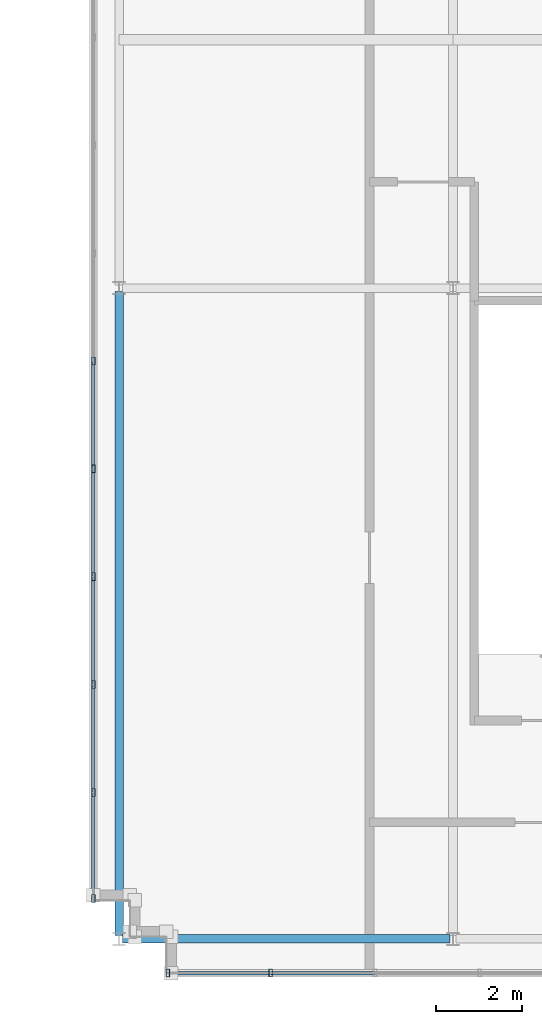
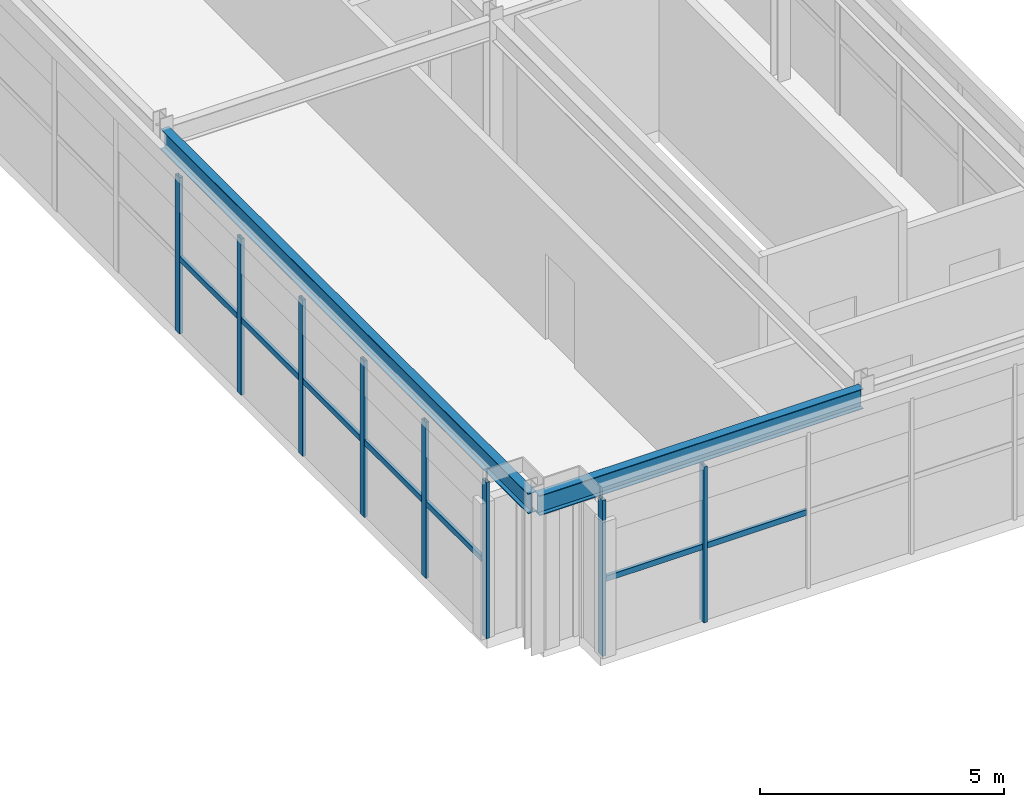
# One storey, part 12 of 25: 15 members, 2 beams, 2 elements without a shape of their own.
"""IFC4 building model written with IfcOpenShell, lengths in metres."""

from ifc_helpers import new_model, si_unit, direction, frame, origin, origin_2d, place, context, subcontext, project, spatial, hollow_rectangle, i_section, extrude, source, transform, mapped, material, material_profile, profile_set, type_object, element, aggregate, save


model = new_model("IFC4")

# Units and contexts
model_context = context("Model", 3, precision=1e-05, world=origin(), true_north=direction((0.0, 1.0)))
body_context = subcontext(model_context, "Body", "Model", "MODEL_VIEW")
ifc_project = project(units=[si_unit("LENGTHUNIT", "METRE"), si_unit("AREAUNIT", "SQUARE_METRE"), si_unit("VOLUMEUNIT", "CUBIC_METRE"), si_unit("PLANEANGLEUNIT", "RADIAN"), si_unit("MASSUNIT", "GRAM", prefix="KILO")], contexts=[model_context])

# Site, building, storey
site_placement = place(None, origin())
site = spatial("IfcSite", under=ifc_project, at=site_placement, CompositionType="ELEMENT")
building_placement = place(site_placement, origin())
building = spatial("IfcBuilding", under=site, at=building_placement, Name="Trelvane Seafront Commons", CompositionType="ELEMENT")
storey_placement = place(building_placement, frame((0.0, 0.0, 320.89990234375)))
storey = spatial("IfcBuildingStorey", under=building, at=storey_placement, Name="L83", CompositionType="ELEMENT", Elevation=320.89990234375)

# Beams
ifc_material_1 = material(Name="Steel SM355 (S355)", Category="steel")
ifc_material_profile_1 = material_profile(ifc_material_1, i_section(OverallWidth=0.199951171875, OverallDepth=0.5, WebThickness=0.010009765625, FlangeThickness=0.01611328125, at=origin_2d()), Name="H-500x200x10x16")
ifc_profile_set_1 = profile_set([ifc_material_profile_1], Name="Steel SM355 (S355)")
beam_type_1 = type_object("IfcBeamType", Name="STR-CROWN-FRAME-RING", PredefinedType="SPANDREL", material=ifc_profile_set_1)
shared_shape_1 = source(origin(), body_context, "Body", "SweptSolid", [
    extrude(i_section(OverallWidth=0.199951171875, OverallDepth=0.5, WebThickness=0.010009765625, FlangeThickness=0.01611328125, at=origin_2d()), origin(), (0.0, 0.0, 1.0), 7.650146484375),
])
beam_1_placement = place(storey_placement, frame((51.074951171875, 18.199951171875, 3.650146484375), z_axis=(1.0, 0.0, 0.0), x_axis=(0.0, 1.0, 0.0)))
element("IfcBeam", 1, at=beam_1_placement, inside=storey, type_object=beam_type_1, Name="L83 CROWN FRAME Ring Beam G-03", PredefinedType="SPANDREL", context=body_context, shape_type="MappedRepresentation", body=[
    mapped(shared_shape_1, transform((0.0, 0.0, 0.0), x_axis=(1.0, 0.0, 0.0), y_axis=(0.0, 1.0, 0.0), z_axis=(0.0, 0.0, 1.0), scale=1.0)),
])
ifc_material_profile_2 = material_profile(ifc_material_1, i_section(OverallWidth=0.199951171875, OverallDepth=0.5, WebThickness=0.010009765625, FlangeThickness=0.01611328125, at=origin_2d()), Name="H-500x200x10x16")
ifc_profile_set_2 = profile_set([ifc_material_profile_2], Name="Steel SM355 (S355)")
beam_type_2 = type_object("IfcBeamType", Name="STR-BM-H500", PredefinedType="BEAM", material=ifc_profile_set_2)
shared_shape_2 = source(origin(), body_context, "Body", "SweptSolid", [
    extrude(i_section(OverallWidth=0.199951171875, OverallDepth=0.5, WebThickness=0.010009765625, FlangeThickness=0.01611328125, at=origin_2d()), origin(), (0.0, 0.0, 1.0), 15.050048828125),
])
beam_2_placement = place(storey_placement, frame((51.0, 18.27490234375, 3.650146484375), z_axis=(0.0, 1.0, 0.0), x_axis=(-1.0, 0.0, 0.0)))
element("IfcBeam", 2, at=beam_2_placement, inside=storey, type_object=beam_type_2, Name="L83 Primary Girder G-19", PredefinedType="BEAM", context=body_context, shape_type="MappedRepresentation", body=[
    mapped(shared_shape_2, transform((0.0, 0.0, 0.0), x_axis=(1.0, 0.0, 0.0), y_axis=(0.0, 1.0, 0.0), z_axis=(0.0, 0.0, 1.0), scale=1.0)),
])

# Curtain wall, members
ifc_material_2 = material(Name="Anodised pale-silver aluminium", Category="aluminium")
curtain_wall_type = type_object("IfcCurtainWallType", Name="ARCH-CW6-CROWN", PredefinedType="NOTDEFINED", material=ifc_material_2)
curtain_wall_1_placement = place(storey_placement, origin())
curtain_wall_1 = element("IfcCurtainWall", 3, at=curtain_wall_1_placement, inside=storey, type_object=curtain_wall_type, Name="CW-L83-0164", PredefinedType="NOTDEFINED")
ifc_material_profile_3 = material_profile(ifc_material_2, hollow_rectangle(XDim=0.080078125, YDim=0.179931640625, WallThickness=0.00439453125, at=origin_2d()), Name="MULL-80x180x4.5")
ifc_profile_set_3 = profile_set([ifc_material_profile_3], Name="Anodised pale-silver aluminium")
member_type_1 = type_object("IfcMemberType", Name="ARCH-CW-MULL-180", PredefinedType="MULLION", material=ifc_profile_set_3)
shared_shape_3 = source(origin(), body_context, "Body", "SweptSolid", [
    extrude(hollow_rectangle(XDim=0.080078125, YDim=0.179931640625, WallThickness=0.00439453125, at=origin_2d()), origin(), (0.0, 0.0, 1.0), 3.900146484375),
])
member_1_placement = place(storey_placement, frame((50.39990234375, 19.139892578125, 0.0), z_axis=(0.0, 0.0, 1.0), x_axis=(1.0, 0.0, 0.0)))
member_1 = element("IfcMember", 4, at=member_1_placement, type_object=member_type_1, Name="CW-L83-0164-M00", PredefinedType="MULLION", context=body_context, shape_type="MappedRepresentation", body=[
    mapped(shared_shape_3, transform((0.0, 0.0, 0.0), x_axis=(1.0, 0.0, 0.0), y_axis=(0.0, 1.0, 0.0), z_axis=(0.0, 0.0, 1.0), scale=1.0)),
])
member_2_placement = place(storey_placement, frame((50.39990234375, 21.6201171875, 0.0), z_axis=(0.0, 0.0, 1.0), x_axis=(1.0, 0.0, 0.0)))
member_2 = element("IfcMember", 5, at=member_2_placement, type_object=member_type_1, Name="CW-L83-0164-M01", PredefinedType="MULLION", context=body_context, shape_type="MappedRepresentation", body=[
    mapped(shared_shape_3, transform((0.0, 0.0, 0.0), x_axis=(1.0, 0.0, 0.0), y_axis=(0.0, 1.0, 0.0), z_axis=(0.0, 0.0, 1.0), scale=1.0)),
])
member_3_placement = place(storey_placement, frame((50.39990234375, 24.139892578125, 0.0), z_axis=(0.0, 0.0, 1.0), x_axis=(1.0, 0.0, 0.0)))
member_3 = element("IfcMember", 6, at=member_3_placement, type_object=member_type_1, Name="CW-L83-0164-M02", PredefinedType="MULLION", context=body_context, shape_type="MappedRepresentation", body=[
    mapped(shared_shape_3, transform((0.0, 0.0, 0.0), x_axis=(1.0, 0.0, 0.0), y_axis=(0.0, 1.0, 0.0), z_axis=(0.0, 0.0, 1.0), scale=1.0)),
])
member_4_placement = place(storey_placement, frame((50.39990234375, 26.659912109375, 0.0), z_axis=(0.0, 0.0, 1.0), x_axis=(1.0, 0.0, 0.0)))
member_4 = element("IfcMember", 7, at=member_4_placement, type_object=member_type_1, Name="CW-L83-0164-M03", PredefinedType="MULLION", context=body_context, shape_type="MappedRepresentation", body=[
    mapped(shared_shape_3, transform((0.0, 0.0, 0.0), x_axis=(1.0, 0.0, 0.0), y_axis=(0.0, 1.0, 0.0), z_axis=(0.0, 0.0, 1.0), scale=1.0)),
])
member_5_placement = place(storey_placement, frame((50.39990234375, 29.179931640625, 0.0), z_axis=(0.0, 0.0, 1.0), x_axis=(1.0, 0.0, 0.0)))
member_5 = element("IfcMember", 8, at=member_5_placement, type_object=member_type_1, Name="CW-L83-0164-M04", PredefinedType="MULLION", context=body_context, shape_type="MappedRepresentation", body=[
    mapped(shared_shape_3, transform((0.0, 0.0, 0.0), x_axis=(1.0, 0.0, 0.0), y_axis=(0.0, 1.0, 0.0), z_axis=(0.0, 0.0, 1.0), scale=1.0)),
])
member_6_placement = place(storey_placement, frame((50.39990234375, 31.699951171875, 0.0), z_axis=(0.0, 0.0, 1.0), x_axis=(1.0, 0.0, 0.0)))
member_6 = element("IfcMember", 9, at=member_6_placement, type_object=member_type_1, Name="CW-L83-0164-M05", PredefinedType="MULLION", context=body_context, shape_type="MappedRepresentation", body=[
    mapped(shared_shape_3, transform((0.0, 0.0, 0.0), x_axis=(1.0, 0.0, 0.0), y_axis=(0.0, 1.0, 0.0), z_axis=(0.0, 0.0, 1.0), scale=1.0)),
])

curtain_wall_2_placement = place(storey_placement, origin())
curtain_wall_2 = element("IfcCurtainWall", 10, at=curtain_wall_2_placement, inside=storey, type_object=curtain_wall_type, Name="CW-L83-0167", PredefinedType="NOTDEFINED")
member_7_placement = place(storey_placement, frame((54.5400390625, 17.39990234375, 0.0), z_axis=(0.0, 0.0, 1.0), x_axis=(1.0, 0.0, 0.0)))
member_7 = element("IfcMember", 11, at=member_7_placement, type_object=member_type_1, Name="CW-L83-0167-M04", PredefinedType="MULLION", context=body_context, shape_type="MappedRepresentation", body=[
    mapped(shared_shape_3, transform((0.0, 0.0, 0.0), x_axis=(1.0, 0.0, 0.0), y_axis=(0.0, 1.0, 0.0), z_axis=(0.0, 0.0, 1.0), scale=1.0)),
])
member_8_placement = place(storey_placement, frame((52.139892578125, 17.39990234375, 0.0), z_axis=(0.0, 0.0, 1.0), x_axis=(1.0, 0.0, 0.0)))
member_8 = element("IfcMember", 12, at=member_8_placement, type_object=member_type_1, Name="CW-L83-0167-M05", PredefinedType="MULLION", context=body_context, shape_type="MappedRepresentation", body=[
    mapped(shared_shape_3, transform((0.0, 0.0, 0.0), x_axis=(1.0, 0.0, 0.0), y_axis=(0.0, 1.0, 0.0), z_axis=(0.0, 0.0, 1.0), scale=1.0)),
])

# Member
ifc_material_profile_4 = material_profile(ifc_material_2, hollow_rectangle(XDim=0.074951171875, YDim=0.139892578125, WallThickness=0.00390625, at=origin_2d()), Name="TRAN-75x140x4")
ifc_profile_set_4 = profile_set([ifc_material_profile_4], Name="Anodised pale-silver aluminium")
member_type_2 = type_object("IfcMemberType", Name="ARCH-CW-TRAN-140", PredefinedType="USERDEFINED", material=ifc_profile_set_4)
shared_shape_4 = source(origin(), body_context, "Body", "SweptSolid", [
    extrude(hollow_rectangle(XDim=0.074951171875, YDim=0.139892578125, WallThickness=0.00390625, at=origin_2d()), origin(), (0.0, 0.0, 1.0), 2.495849609375),
])
member_9_placement = place(storey_placement, frame((50.39990234375, 19.112060546875, 1.8720703125), z_axis=(0.0, 1.0, 0.0), x_axis=(-1.0, 0.0, 0.0)))
member_9 = element("IfcMember", 13, at=member_9_placement, type_object=member_type_2, Name="CW-L83-0164-T00", ObjectType="TRANSOM", PredefinedType="USERDEFINED", context=body_context, shape_type="MappedRepresentation", body=[
    mapped(shared_shape_4, transform((0.0, 0.0, 0.0), x_axis=(1.0, 0.0, 0.0), y_axis=(0.0, 1.0, 0.0), z_axis=(0.0, 0.0, 1.0), scale=1.0)),
])

member_10_placement = place(storey_placement, frame((50.39990234375, 21.632080078125, 1.8720703125), z_axis=(0.0, 1.0, 0.0), x_axis=(-1.0, 0.0, 0.0)))
member_10 = element("IfcMember", 14, at=member_10_placement, type_object=member_type_2, Name="CW-L83-0164-T01", ObjectType="TRANSOM", PredefinedType="USERDEFINED", context=body_context, shape_type="MappedRepresentation", body=[
    mapped(shared_shape_4, transform((0.0, 0.0, 0.0), x_axis=(1.0, 0.0, 0.0), y_axis=(0.0, 1.0, 0.0), z_axis=(0.0, 0.0, 1.0), scale=1.0)),
])

member_11_placement = place(storey_placement, frame((50.39990234375, 24.152099609375, 1.8720703125), z_axis=(0.0, 1.0, 0.0), x_axis=(-1.0, 0.0, 0.0)))
member_11 = element("IfcMember", 15, at=member_11_placement, type_object=member_type_2, Name="CW-L83-0164-T02", ObjectType="TRANSOM", PredefinedType="USERDEFINED", context=body_context, shape_type="MappedRepresentation", body=[
    mapped(shared_shape_4, transform((0.0, 0.0, 0.0), x_axis=(1.0, 0.0, 0.0), y_axis=(0.0, 1.0, 0.0), z_axis=(0.0, 0.0, 1.0), scale=1.0)),
])

member_12_placement = place(storey_placement, frame((50.39990234375, 26.672119140625, 1.8720703125), z_axis=(0.0, 1.0, 0.0), x_axis=(-1.0, 0.0, 0.0)))
member_12 = element("IfcMember", 16, at=member_12_placement, type_object=member_type_2, Name="CW-L83-0164-T03", ObjectType="TRANSOM", PredefinedType="USERDEFINED", context=body_context, shape_type="MappedRepresentation", body=[
    mapped(shared_shape_4, transform((0.0, 0.0, 0.0), x_axis=(1.0, 0.0, 0.0), y_axis=(0.0, 1.0, 0.0), z_axis=(0.0, 0.0, 1.0), scale=1.0)),
])

shared_shape_5 = source(origin(), body_context, "Body", "SweptSolid", [
    extrude(hollow_rectangle(XDim=0.074951171875, YDim=0.139892578125, WallThickness=0.00390625, at=origin_2d()), origin(), (0.0, 0.0, 1.0), 2.49609375),
])
member_13_placement = place(storey_placement, frame((50.39990234375, 29.19189453125, 1.8720703125), z_axis=(0.0, 1.0, 0.0), x_axis=(-1.0, 0.0, 0.0)))
member_13 = element("IfcMember", 17, at=member_13_placement, type_object=member_type_2, Name="CW-L83-0164-T04", ObjectType="TRANSOM", PredefinedType="USERDEFINED", context=body_context, shape_type="MappedRepresentation", body=[
    mapped(shared_shape_5, transform((0.0, 0.0, 0.0), x_axis=(1.0, 0.0, 0.0), y_axis=(0.0, 1.0, 0.0), z_axis=(0.0, 0.0, 1.0), scale=1.0)),
])

aggregate(curtain_wall_1, [member_1, member_2, member_3, member_4, member_5, member_6, member_9, member_10, member_11, member_12, member_13])

shared_shape_6 = source(origin(), body_context, "Body", "SweptSolid", [
    extrude(hollow_rectangle(XDim=0.074951171875, YDim=0.139892578125, WallThickness=0.00390625, at=origin_2d()), origin(), (0.0, 0.0, 1.0), 2.416015625),
])
member_14_placement = place(storey_placement, frame((56.968017578125, 17.39990234375, 1.8720703125), z_axis=(-1.0, 0.0, 0.0), x_axis=(0.0, -1.0, 0.0)))
member_14 = element("IfcMember", 18, at=member_14_placement, type_object=member_type_2, Name="CW-L83-0167-T03", ObjectType="TRANSOM", PredefinedType="USERDEFINED", context=body_context, shape_type="MappedRepresentation", body=[
    mapped(shared_shape_6, transform((0.0, 0.0, 0.0), x_axis=(1.0, 0.0, 0.0), y_axis=(0.0, 1.0, 0.0), z_axis=(0.0, 0.0, 1.0), scale=1.0)),
])

member_15_placement = place(storey_placement, frame((54.528076171875, 17.39990234375, 1.8720703125), z_axis=(-1.0, 0.0, 0.0), x_axis=(0.0, -1.0, 0.0)))
member_15 = element("IfcMember", 19, at=member_15_placement, type_object=member_type_2, Name="CW-L83-0167-T04", ObjectType="TRANSOM", PredefinedType="USERDEFINED", context=body_context, shape_type="MappedRepresentation", body=[
    mapped(shared_shape_6, transform((0.0, 0.0, 0.0), x_axis=(1.0, 0.0, 0.0), y_axis=(0.0, 1.0, 0.0), z_axis=(0.0, 0.0, 1.0), scale=1.0)),
])

aggregate(curtain_wall_2, [member_7, member_8, member_14, member_15])

save(model, "model.ifc")
